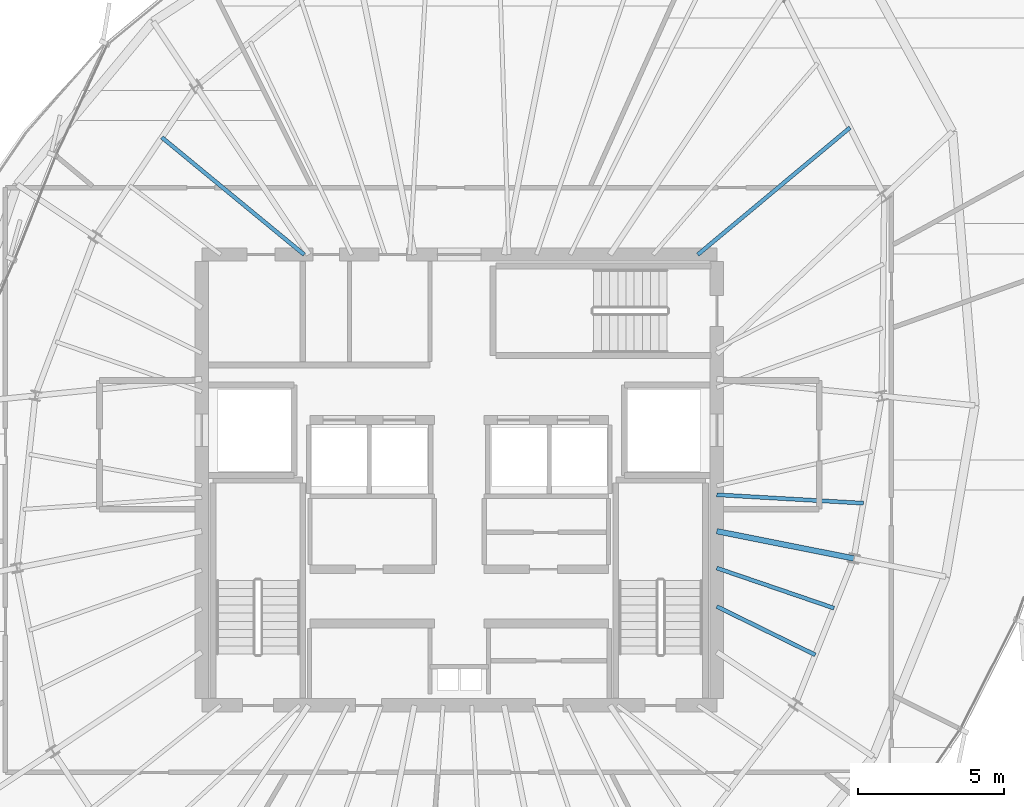
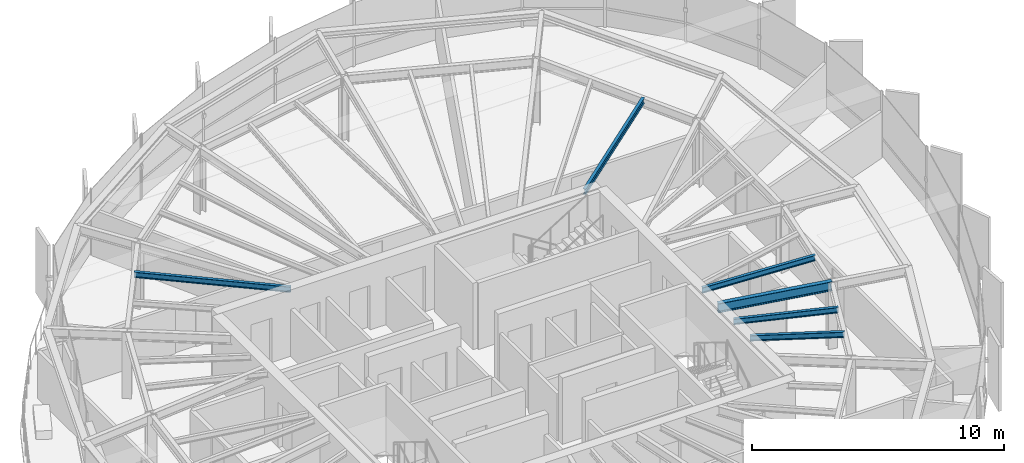
# One storey, part 12 of 36: 6 beams.
"""IFC4 building model written with IfcOpenShell, lengths in metres."""

from ifc_helpers import new_model, si_unit, direction, frame, origin, origin_2d, place, context, subcontext, project, spatial, i_section, extrude, source, transform, mapped, material, material_profile, profile_set, type_object, element, save


model = new_model("IFC4")

# Units and contexts
model_context = context("Model", 3, precision=1e-05, world=origin(), true_north=direction((0.0, 1.0)))
body_context = subcontext(model_context, "Body", "Model", "MODEL_VIEW")
ifc_project = project(units=[si_unit("LENGTHUNIT", "METRE"), si_unit("AREAUNIT", "SQUARE_METRE"), si_unit("VOLUMEUNIT", "CUBIC_METRE"), si_unit("PLANEANGLEUNIT", "RADIAN"), si_unit("MASSUNIT", "GRAM", prefix="KILO"), si_unit("THERMODYNAMICTEMPERATUREUNIT", "KELVIN")], contexts=[model_context])

# Site, building, storey
site_placement = place(None, origin())
site = spatial("IfcSite", under=ifc_project, at=site_placement, CompositionType="ELEMENT")
building_placement = place(site_placement, origin())
building = spatial("IfcBuilding", under=site, at=building_placement, Name="Kethvar Cultural Tower", CompositionType="ELEMENT")
storey_placement = place(building_placement, frame((0.0, 0.0, 242.199951171875)))
storey = spatial("IfcBuildingStorey", under=building, at=storey_placement, Name="L63", CompositionType="ELEMENT", Elevation=242.199951171875)

# Beams
ifc_material = material(Name="Steel S355J2", Category="steel")
ifc_material_profile_1 = material_profile(ifc_material, i_section(OverallWidth=0.18994140625, OverallDepth=0.449951171875, WebThickness=0.009521484375, FlangeThickness=0.0146484375, FilletRadius=0.02099609375, at=origin_2d()), Name="Steel S355J2 — IPE450")
ifc_profile_set_1 = profile_set([ifc_material_profile_1], Name="Steel S355J2 — IPE450")
beam_type_1 = type_object("IfcBeamType", Name="BM-IPE450", PredefinedType="BEAM", material=ifc_profile_set_1)
shared_shape_1 = source(origin(), body_context, "Body", "SweptSolid", [
    extrude(i_section(OverallWidth=0.18994140625, OverallDepth=0.449951171875, WebThickness=0.009521484375, FlangeThickness=0.0146484375, FilletRadius=0.02099609375, at=origin_2d()), origin(), (0.0, 0.0, 1.0), 4.775390625),
])
beam_1_placement = place(storey_placement, frame((55.60009765625, 26.049560546875, 2.983154296875), z_axis=(0.980784643133, -0.195093525761, 0.0), x_axis=(0.195093525761, 0.980784643133, 0.0)))
element("IfcBeam", 1, at=beam_1_placement, inside=storey, type_object=beam_type_1, Name="L63 Primary Radial Beam RB-16", PredefinedType="BEAM", context=body_context, shape_type="MappedRepresentation", body=[
    mapped(shared_shape_1, transform((0.0, 0.0, 0.0), scale=1.0)),
])
ifc_material_profile_2 = material_profile(ifc_material, i_section(OverallWidth=0.135009765625, OverallDepth=0.27001953125, WebThickness=0.006591796875, FlangeThickness=0.01025390625, FilletRadius=0.014892578125, at=origin_2d()), Name="Steel S355J2 — IPE270")
ifc_profile_set_2 = profile_set([ifc_material_profile_2], Name="Steel S355J2 — IPE270")
beam_type_2 = type_object("IfcBeamType", Name="BM-J270", PredefinedType="JOIST", material=ifc_profile_set_2)
shared_shape_2 = source(origin(), body_context, "Body", "SweptSolid", [
    extrude(i_section(OverallWidth=0.135009765625, OverallDepth=0.27001953125, WebThickness=0.006591796875, FlangeThickness=0.01025390625, FilletRadius=0.014892578125, at=origin_2d()), origin(), (0.0, 0.0, 1.0), 6.776123046875),
])
beam_2_placement = place(storey_placement, frame((54.949951171875, 35.5, 3.072998046875), z_axis=(0.767801747857, 0.6406875026, 0.0), x_axis=(-0.6406875026, 0.767801747857, 0.0)))
element("IfcBeam", 2, at=beam_2_placement, inside=storey, type_object=beam_type_2, Name="L63 Composite Floor Joist J-02A", PredefinedType="JOIST", context=body_context, shape_type="MappedRepresentation", body=[
    mapped(shared_shape_2, transform((0.0, 0.0, 0.0), scale=1.0)),
])
shared_shape_3 = source(origin(), body_context, "Body", "SweptSolid", [
    extrude(i_section(OverallWidth=0.135009765625, OverallDepth=0.27001953125, WebThickness=0.006591796875, FlangeThickness=0.01025390625, FilletRadius=0.014892578125, at=origin_2d()), origin(), (0.0, 0.0, 1.0), 6.302978515625),
])
beam_3_placement = place(storey_placement, frame((41.5, 35.5, 3.072998046875), z_axis=(-0.771828477148, 0.635830796567, 0.0), x_axis=(-0.635830796567, -0.771828477148, 0.0)))
element("IfcBeam", 3, at=beam_3_placement, inside=storey, type_object=beam_type_2, Name="L63 Composite Floor Joist J-06A", PredefinedType="JOIST", context=body_context, shape_type="MappedRepresentation", body=[
    mapped(shared_shape_3, transform((0.0, 0.0, 0.0), scale=1.0)),
])
shared_shape_4 = source(origin(), body_context, "Body", "SweptSolid", [
    extrude(i_section(OverallWidth=0.135009765625, OverallDepth=0.27001953125, WebThickness=0.006591796875, FlangeThickness=0.01025390625, FilletRadius=0.014892578125, at=origin_2d()), origin(), (0.0, 0.0, 1.0), 3.75),
])
beam_4_placement = place(storey_placement, frame((55.60009765625, 23.476318359375, 3.072998046875), z_axis=(0.8975046019, -0.441005090184, 0.0), x_axis=(0.441005090184, 0.8975046019, 0.0)))
element("IfcBeam", 4, at=beam_4_placement, inside=storey, type_object=beam_type_2, Name="L63 Composite Floor Joist J-15A", PredefinedType="JOIST", context=body_context, shape_type="MappedRepresentation", body=[
    mapped(shared_shape_4, transform((0.0, 0.0, 0.0), scale=1.0)),
])
shared_shape_5 = source(origin(), body_context, "Body", "SweptSolid", [
    extrude(i_section(OverallWidth=0.135009765625, OverallDepth=0.27001953125, WebThickness=0.006591796875, FlangeThickness=0.01025390625, FilletRadius=0.014892578125, at=origin_2d()), origin(), (0.0, 0.0, 1.0), 4.232421875),
])
beam_5_placement = place(storey_placement, frame((55.60009765625, 24.7900390625, 3.072998046875), z_axis=(0.946173747357, -0.323659141402, 0.0), x_axis=(0.323659141402, 0.946173747357, 0.0)))
element("IfcBeam", 5, at=beam_5_placement, inside=storey, type_object=beam_type_2, Name="L63 Composite Floor Joist J-15B", PredefinedType="JOIST", context=body_context, shape_type="MappedRepresentation", body=[
    mapped(shared_shape_5, transform((0.0, 0.0, 0.0), scale=1.0)),
])
shared_shape_6 = source(origin(), body_context, "Body", "SweptSolid", [
    extrude(i_section(OverallWidth=0.135009765625, OverallDepth=0.27001953125, WebThickness=0.006591796875, FlangeThickness=0.01025390625, FilletRadius=0.014892578125, at=origin_2d()), origin(), (0.0, 0.0, 1.0), 5.01611328125),
])
beam_6_placement = place(storey_placement, frame((55.60009765625, 27.294189453125, 3.072998046875), z_axis=(0.998352190078, -0.057383835418, 0.0), x_axis=(0.057383835418, 0.998352190078, 0.0)))
element("IfcBeam", 6, at=beam_6_placement, inside=storey, type_object=beam_type_2, Name="L63 Composite Floor Joist J-16A", PredefinedType="JOIST", context=body_context, shape_type="MappedRepresentation", body=[
    mapped(shared_shape_6, transform((0.0, 0.0, 0.0), scale=1.0)),
])

save(model, "model.ifc")
